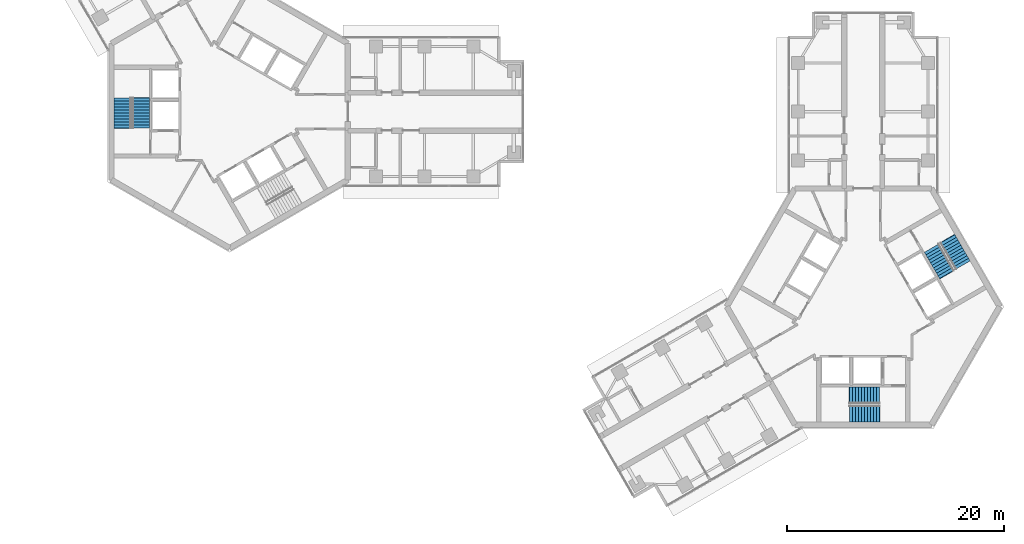
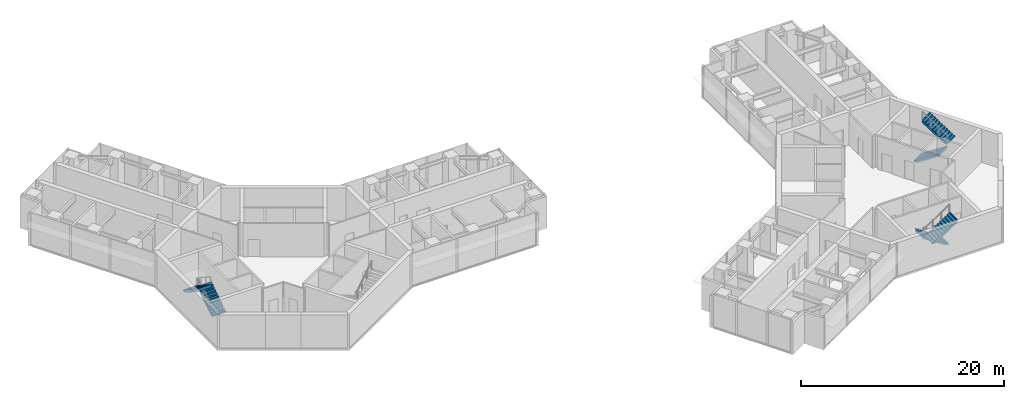
# One storey, part 16 of 17: 6 stair flights, 3 elements without a shape of their own.
"""IFC4 building model written with IfcOpenShell, lengths in metres."""

from ifc_helpers import new_model, si_unit, direction, frame, origin, place, context, subcontext, project, spatial, polyline, outline, extrude, material, type_object, element, aggregate, save


model = new_model("IFC4")

# Units and contexts
model_context = context("Model", 3, precision=1e-05, world=origin(), true_north=direction((0.0, 1.0)))
body_context = subcontext(model_context, "Body", "Model", "MODEL_VIEW")
ifc_project = project(units=[si_unit("LENGTHUNIT", "METRE"), si_unit("AREAUNIT", "SQUARE_METRE"), si_unit("VOLUMEUNIT", "CUBIC_METRE"), si_unit("PLANEANGLEUNIT", "RADIAN"), si_unit("MASSUNIT", "GRAM", prefix="KILO")], contexts=[model_context])

# Site, building, storey
site_placement = place(None, origin())
site = spatial("IfcSite", under=ifc_project, at=site_placement, CompositionType="ELEMENT")
building_placement = place(site_placement, origin())
building = spatial("IfcBuilding", under=site, at=building_placement, Name="Upepo Twin Towers", CompositionType="ELEMENT")
storey_placement = place(building_placement, frame((0.0, 0.0, 182.5)))
storey = spatial("IfcBuildingStorey", under=building, at=storey_placement, Name="L44", CompositionType="ELEMENT", Elevation=182.5)

# Stair, stair flights
ifc_material_1 = material(Name="Concrete C40/50", Category="concrete")
stair_type = type_object("IfcStairType", Name="Core stair, two flights", PredefinedType="HALF_TURN_STAIR", material=ifc_material_1)
stair_1_placement = place(storey_placement, origin())
stair_1 = element("IfcStair", 1, at=stair_1_placement, inside=storey, type_object=stair_type, Name="T1 stair S1 L44", PredefinedType="HALF_TURN_STAIR")
ifc_material_2 = material(Name="Concrete C40/50", Category="concrete")
stair_flight_type = type_object("IfcStairFlightType", Name="Stair flight 1550 RC", PredefinedType="STRAIGHT", material=ifc_material_2)
stair_flight_1_placement = place(storey_placement, frame((-8.175048828125, -1.52001953125, 0.0), z_axis=(0.0, 0.0, 1.0), x_axis=(0.0, 1.0, 0.0)))
stair_flight_1 = element("IfcStairFlight", 2, at=stair_flight_1_placement, type_object=stair_flight_type, Name="Stair S1 flight 1", NumberOfRisers=11, NumberOfTreads=10, PredefinedType="STRAIGHT", RiserHeight=0.181818182, TreadLength=0.28, context=body_context, shape_type="SweptSolid", body=[
    extrude(outline(polyline([(0.0, 0.0), (0.0, 0.181884765625), (0.280029296875, 0.181884765625), (0.280029296875, 0.363525390625), (0.56005859375, 0.363525390625), (0.56005859375, 0.54541015625), (0.840087890625, 0.54541015625), (0.840087890625, 0.727294921875), (1.1201171875, 0.727294921875), (1.1201171875, 0.9091796875), (1.39990234375, 0.9091796875), (1.39990234375, 1.0908203125), (1.679931640625, 1.0908203125), (1.679931640625, 1.272705078125), (1.9599609375, 1.272705078125), (1.9599609375, 1.45458984375), (2.239990234375, 1.45458984375), (2.239990234375, 1.636474609375), (2.52001953125, 1.636474609375), (2.52001953125, 1.818115234375), (2.800048828125, 1.818115234375), (2.800048828125, 2.0), (2.85009765625, 2.0), (2.85009765625, 1.639404296875), (0.3251953125, 0.0), (0.0, 0.0)])), frame((0.0, 0.77490234375, 0.0), z_axis=(0.0, -1.0, 0.0), x_axis=(1.0, 0.0, 0.0)), (0.0, 0.0, 1.0), 1.550048828125),
])
stair_flight_2_placement = place(storey_placement, frame((-9.88330078125, 1.280029296875, 2.0), z_axis=(0.0, 0.0, 1.0), x_axis=(0.0, -1.0, 0.0)))
stair_flight_2 = element("IfcStairFlight", 3, at=stair_flight_2_placement, type_object=stair_flight_type, Name="Stair S1 flight 2", NumberOfRisers=11, NumberOfTreads=10, PredefinedType="STRAIGHT", RiserHeight=0.181818182, TreadLength=0.28, context=body_context, shape_type="SweptSolid", body=[
    extrude(outline(polyline([(0.0, 0.0), (0.0, 0.181884765625), (0.280029296875, 0.181884765625), (0.280029296875, 0.363525390625), (0.56005859375, 0.363525390625), (0.56005859375, 0.54541015625), (0.840087890625, 0.54541015625), (0.840087890625, 0.727294921875), (1.1201171875, 0.727294921875), (1.1201171875, 0.9091796875), (1.39990234375, 0.9091796875), (1.39990234375, 1.0908203125), (1.679931640625, 1.0908203125), (1.679931640625, 1.272705078125), (1.9599609375, 1.272705078125), (1.9599609375, 1.45458984375), (2.239990234375, 1.45458984375), (2.239990234375, 1.636474609375), (2.52001953125, 1.636474609375), (2.52001953125, 1.818115234375), (2.800048828125, 1.818115234375), (2.800048828125, 2.0), (2.85009765625, 2.0), (2.85009765625, 1.639404296875), (0.3251953125, 0.0), (0.0, 0.0)])), frame((0.0, 0.77490234375, 0.0), z_axis=(0.0, -1.0, 0.0), x_axis=(1.0, 0.0, 0.0)), (0.0, 0.0, 1.0), 1.550048828125),
])
aggregate(stair_1, [stair_flight_1, stair_flight_2])

stair_2_placement = place(storey_placement, origin())
stair_2 = element("IfcStair", 4, at=stair_2_placement, inside=storey, type_object=stair_type, Name="T2 stair S1 L44", PredefinedType="HALF_TURN_STAIR")
stair_flight_3_placement = place(storey_placement, frame((60.02001953125, -26.175048828125, 0.0), z_axis=(0.0, 0.0, 1.0), x_axis=(-1.0, 0.0, 0.0)))
stair_flight_3 = element("IfcStairFlight", 5, at=stair_flight_3_placement, type_object=stair_flight_type, Name="Stair S1 flight 1", NumberOfRisers=11, NumberOfTreads=10, PredefinedType="STRAIGHT", RiserHeight=0.181818182, TreadLength=0.28, context=body_context, shape_type="SweptSolid", body=[
    extrude(outline(polyline([(0.0, 0.0), (0.0, 0.181884765625), (0.280029296875, 0.181884765625), (0.280029296875, 0.363525390625), (0.56005859375, 0.363525390625), (0.56005859375, 0.54541015625), (0.840087890625, 0.54541015625), (0.840087890625, 0.727294921875), (1.1201171875, 0.727294921875), (1.1201171875, 0.9091796875), (1.39990234375, 0.9091796875), (1.39990234375, 1.0908203125), (1.679931640625, 1.0908203125), (1.679931640625, 1.272705078125), (1.9599609375, 1.272705078125), (1.9599609375, 1.45458984375), (2.239990234375, 1.45458984375), (2.239990234375, 1.636474609375), (2.52001953125, 1.636474609375), (2.52001953125, 1.818115234375), (2.800048828125, 1.818115234375), (2.800048828125, 2.0), (2.85009765625, 2.0), (2.85009765625, 1.639404296875), (0.3251953125, 0.0), (0.0, 0.0)])), frame((0.0, 0.77490234375, 0.0), z_axis=(0.0, -1.0, 0.0), x_axis=(1.0, 0.0, 0.0)), (0.0, 0.0, 1.0), 1.550048828125),
])
stair_flight_4_placement = place(storey_placement, frame((57.219970703125, -27.88330078125, 2.0), z_axis=(0.0, 0.0, 1.0), x_axis=(1.0, 0.0, 0.0)))
stair_flight_4 = element("IfcStairFlight", 6, at=stair_flight_4_placement, type_object=stair_flight_type, Name="Stair S1 flight 2", NumberOfRisers=11, NumberOfTreads=10, PredefinedType="STRAIGHT", RiserHeight=0.181818182, TreadLength=0.28, context=body_context, shape_type="SweptSolid", body=[
    extrude(outline(polyline([(0.0, 0.0), (0.0, 0.181884765625), (0.280029296875, 0.181884765625), (0.280029296875, 0.363525390625), (0.56005859375, 0.363525390625), (0.56005859375, 0.54541015625), (0.840087890625, 0.54541015625), (0.840087890625, 0.727294921875), (1.1201171875, 0.727294921875), (1.1201171875, 0.9091796875), (1.39990234375, 0.9091796875), (1.39990234375, 1.0908203125), (1.679931640625, 1.0908203125), (1.679931640625, 1.272705078125), (1.9599609375, 1.272705078125), (1.9599609375, 1.45458984375), (2.239990234375, 1.45458984375), (2.239990234375, 1.636474609375), (2.52001953125, 1.636474609375), (2.52001953125, 1.818115234375), (2.800048828125, 1.818115234375), (2.800048828125, 2.0), (2.85009765625, 2.0), (2.85009765625, 1.639404296875), (0.3251953125, 0.0), (0.0, 0.0)])), frame((0.0, 0.77490234375, 0.0), z_axis=(0.0, -1.0, 0.0), x_axis=(1.0, 0.0, 0.0)), (0.0, 0.0, 1.0), 1.550048828125),
])
aggregate(stair_2, [stair_flight_3, stair_flight_4])

stair_3_placement = place(storey_placement, origin())
stair_3 = element("IfcStair", 7, at=stair_3_placement, inside=storey, type_object=stair_type, Name="T2 stair S2 L44", PredefinedType="HALF_TURN_STAIR")
stair_flight_5_placement = place(storey_placement, frame((64.81982421875, -12.59619140625, 0.0), z_axis=(0.0, 0.0, 1.0), x_axis=(0.5, -0.866025403784, 0.0)))
stair_flight_5 = element("IfcStairFlight", 8, at=stair_flight_5_placement, type_object=stair_flight_type, Name="Stair S2 flight 1", NumberOfRisers=11, NumberOfTreads=10, PredefinedType="STRAIGHT", RiserHeight=0.181818182, TreadLength=0.28, context=body_context, shape_type="SweptSolid", body=[
    extrude(outline(polyline([(0.0, 0.0), (0.0, 0.181884765625), (0.280029296875, 0.181884765625), (0.280029296875, 0.363525390625), (0.56005859375, 0.363525390625), (0.56005859375, 0.54541015625), (0.840087890625, 0.54541015625), (0.840087890625, 0.727294921875), (1.1201171875, 0.727294921875), (1.1201171875, 0.9091796875), (1.39990234375, 0.9091796875), (1.39990234375, 1.0908203125), (1.679931640625, 1.0908203125), (1.679931640625, 1.272705078125), (1.9599609375, 1.272705078125), (1.9599609375, 1.45458984375), (2.239990234375, 1.45458984375), (2.239990234375, 1.636474609375), (2.52001953125, 1.636474609375), (2.52001953125, 1.818115234375), (2.800048828125, 1.818115234375), (2.800048828125, 2.0), (2.85009765625, 2.0), (2.85009765625, 1.639404296875), (0.3251953125, 0.0), (0.0, 0.0)])), frame((0.0, 0.77490234375, 0.0), z_axis=(0.0, -1.0, 0.0), x_axis=(1.0, 0.0, 0.0)), (0.0, 0.0, 1.0), 1.550048828125),
])
stair_flight_6_placement = place(storey_placement, frame((67.69921875, -14.166748046875, 2.0), z_axis=(0.0, 0.0, 1.0), x_axis=(-0.5, 0.866025403784, 0.0)))
stair_flight_6 = element("IfcStairFlight", 9, at=stair_flight_6_placement, type_object=stair_flight_type, Name="Stair S2 flight 2", NumberOfRisers=11, NumberOfTreads=10, PredefinedType="STRAIGHT", RiserHeight=0.181818182, TreadLength=0.28, context=body_context, shape_type="SweptSolid", body=[
    extrude(outline(polyline([(0.0, 0.0), (0.0, 0.181884765625), (0.280029296875, 0.181884765625), (0.280029296875, 0.363525390625), (0.56005859375, 0.363525390625), (0.56005859375, 0.54541015625), (0.840087890625, 0.54541015625), (0.840087890625, 0.727294921875), (1.1201171875, 0.727294921875), (1.1201171875, 0.9091796875), (1.39990234375, 0.9091796875), (1.39990234375, 1.0908203125), (1.679931640625, 1.0908203125), (1.679931640625, 1.272705078125), (1.9599609375, 1.272705078125), (1.9599609375, 1.45458984375), (2.239990234375, 1.45458984375), (2.239990234375, 1.636474609375), (2.52001953125, 1.636474609375), (2.52001953125, 1.818115234375), (2.800048828125, 1.818115234375), (2.800048828125, 2.0), (2.85009765625, 2.0), (2.85009765625, 1.639404296875), (0.3251953125, 0.0), (0.0, 0.0)])), frame((0.0, 0.77490234375, 0.0), z_axis=(0.0, -1.0, 0.0), x_axis=(1.0, 0.0, 0.0)), (0.0, 0.0, 1.0), 1.550048828125),
])
aggregate(stair_3, [stair_flight_5, stair_flight_6])

save(model, "model.ifc")
